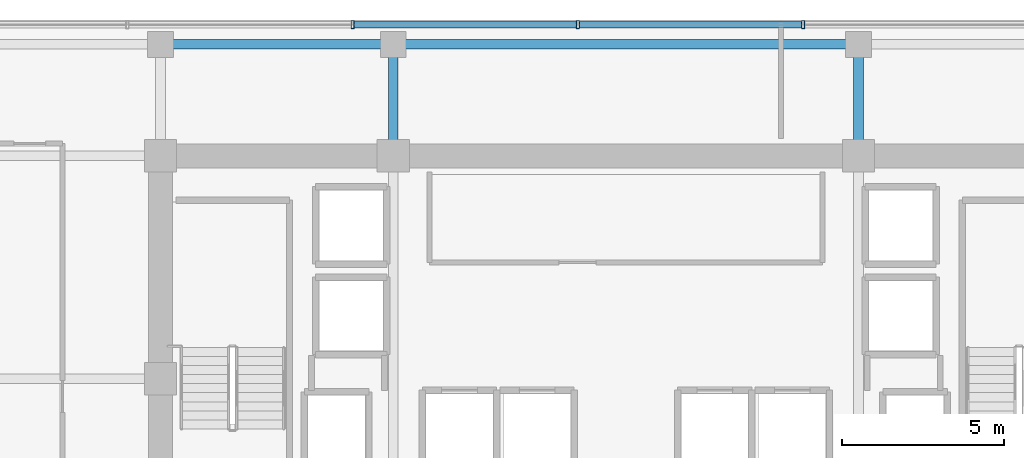
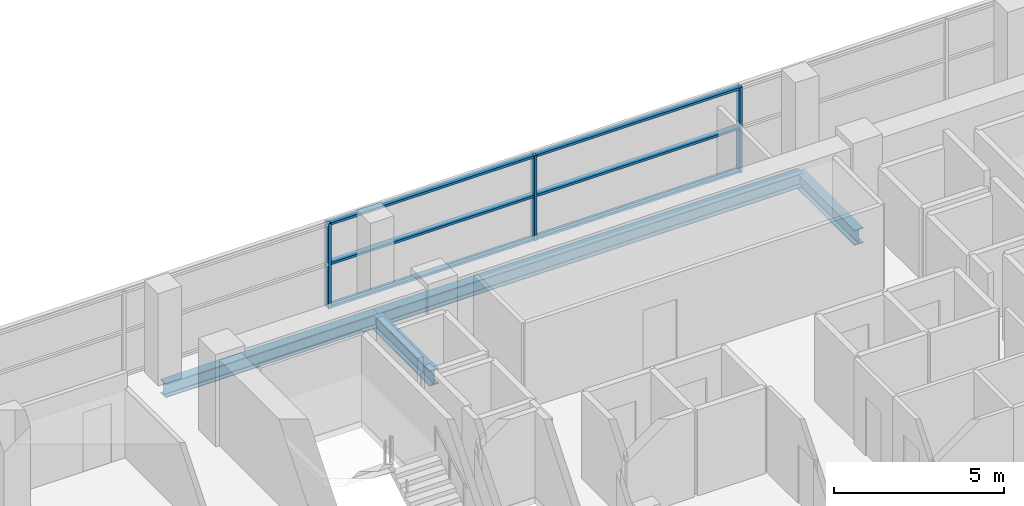
# One storey, part 13 of 25: 9 members, 4 beams, 1 element without a shape of its own.
"""IFC4 building model written with IfcOpenShell, lengths in metres."""

from ifc_helpers import new_model, si_unit, direction, frame, origin, origin_2d, place, context, subcontext, project, spatial, hollow_rectangle, i_section, extrude, source, transform, mapped, material, layer, layer_set, material_profile, profile_set, type_object, element, aggregate, save


model = new_model("IFC4")

# Units and contexts
model_context = context("Model", 3, precision=1e-05, world=origin(), true_north=direction((0.0, 1.0)))
body_context = subcontext(model_context, "Body", "Model", "MODEL_VIEW")
ifc_project = project(units=[si_unit("LENGTHUNIT", "METRE"), si_unit("AREAUNIT", "SQUARE_METRE"), si_unit("VOLUMEUNIT", "CUBIC_METRE"), si_unit("PLANEANGLEUNIT", "RADIAN"), si_unit("MASSUNIT", "GRAM", prefix="KILO")], contexts=[model_context])

# Site, building, storey
site_placement = place(None, origin())
site = spatial("IfcSite", under=ifc_project, at=site_placement, CompositionType="ELEMENT")
building_placement = place(site_placement, origin())
building = spatial("IfcBuilding", under=site, at=building_placement, Name="Zarnakvel Exchange Tower", CompositionType="ELEMENT")
storey_placement = place(building_placement, frame((0.0, 0.0, 126.39990234375)))
storey = spatial("IfcBuildingStorey", under=building, at=storey_placement, Name="L35", CompositionType="ELEMENT", Elevation=126.39990234375)

# Beams
ifc_material_1 = material(Name="Steel S355", Category="steel")
ifc_material_profile_1 = material_profile(ifc_material_1, i_section(OverallWidth=0.300048828125, OverallDepth=0.550048828125, WebThickness=0.014892578125, FlangeThickness=0.029052734375, FilletRadius=0.027099609375, at=origin_2d()))
ifc_profile_set_1 = profile_set([ifc_material_profile_1], Name="Steel S355")
beam_type_1 = type_object("IfcBeamType", Name="G-05", PredefinedType="BEAM", material=ifc_profile_set_1)
for number, where, z_axis, x_axis, name in (
    (1, (-7.199951171875, 13.5, -0.5), (0.0, 1.0, 0.0), (-1.0, 0.0, 0.0), "L35 Tower N-S Frame Beam"),
    (2, (7.199951171875, 13.5, -0.5), (0.0, 1.0, 0.0), (-1.0, 0.0, 0.0), "L35 Tower N-S Frame Beam"),
):
    element("IfcBeam", number, at=place(storey_placement, frame(where, z_axis=z_axis, x_axis=x_axis)), inside=storey, type_object=beam_type_1, Name=name, PredefinedType="BEAM", context=body_context, shape_type="SweptSolid", body=[
        extrude(i_section(OverallWidth=0.300048828125, OverallDepth=0.550048828125, WebThickness=0.014892578125, FlangeThickness=0.029052734375, FilletRadius=0.027099609375, at=origin_2d()), origin(), (0.0, 0.0, 1.0), 3.449951171875),
    ])
ifc_material_profile_2 = material_profile(ifc_material_1, i_section(OverallWidth=0.300048828125, OverallDepth=0.5, WebThickness=0.014404296875, FlangeThickness=0.028076171875, FilletRadius=0.027099609375, at=origin_2d()))
ifc_profile_set_2 = profile_set([ifc_material_profile_2], Name="Steel S355")
beam_type_2 = type_object("IfcBeamType", Name="SP-02", PredefinedType="SPANDREL", material=ifc_profile_set_2)
beam_1_placement = place(storey_placement, frame((-14.39990234375, 16.949951171875, -0.474853515625), z_axis=(1.0, 0.0, 0.0), x_axis=(0.0, 1.0, 0.0)))
element("IfcBeam", 3, at=beam_1_placement, inside=storey, type_object=beam_type_2, Name="L35 Tower E-W Frame Beam", PredefinedType="SPANDREL", context=body_context, shape_type="SweptSolid", body=[
    extrude(i_section(OverallWidth=0.300048828125, OverallDepth=0.5, WebThickness=0.014404296875, FlangeThickness=0.028076171875, FilletRadius=0.027099609375, at=origin_2d()), origin(), (0.0, 0.0, 1.0), 7.199951171875),
])
beam_2_placement = place(storey_placement, frame((-7.199951171875, 16.949951171875, -0.474853515625), z_axis=(1.0, 0.0, 0.0), x_axis=(0.0, 1.0, 0.0)))
element("IfcBeam", 4, at=beam_2_placement, inside=storey, type_object=beam_type_2, Name="L35 Tower E-W Frame Beam", PredefinedType="SPANDREL", context=body_context, shape_type="SweptSolid", body=[
    extrude(i_section(OverallWidth=0.300048828125, OverallDepth=0.5, WebThickness=0.014404296875, FlangeThickness=0.028076171875, FilletRadius=0.027099609375, at=origin_2d()), origin(), (0.0, 0.0, 1.0), 14.39990234375),
])

# Curtain wall, members
ifc_material_2 = material(Name="Architectural Bronze Anodised Aluminium", Category="aluminium")
ifc_layer = layer(ifc_material_2, 0.239990234375)
ifc_layer_set = layer_set([ifc_layer], Name="Architectural Bronze Anodised Aluminium")
curtain_wall_type = type_object("IfcCurtainWallType", Name="CW-02", PredefinedType="NOTDEFINED", material=ifc_layer_set)
curtain_wall_placement = place(storey_placement, origin())
curtain_wall = element("IfcCurtainWall", 5, at=curtain_wall_placement, inside=storey, type_object=curtain_wall_type, Name="L35 Curtain Wall CW-L35-N1 (CW-02)", PredefinedType="NOTDEFINED")
ifc_material_profile_3 = material_profile(ifc_material_2, hollow_rectangle(XDim=0.239990234375, YDim=0.090087890625, WallThickness=0.006103515625, at=origin_2d()))
ifc_profile_set_3 = profile_set([ifc_material_profile_3], Name="Architectural Bronze Anodised Aluminium")
member_type_1 = type_object("IfcMemberType", Name="CWM-02", PredefinedType="MULLION", material=ifc_profile_set_3)
shared_shape_1 = source(origin(), body_context, "Body", "SweptSolid", [
    extrude(hollow_rectangle(XDim=0.239990234375, YDim=0.090087890625, WallThickness=0.006103515625, at=origin_2d()), origin(), (0.0, 0.0, 1.0), 3.05517578125),
])
member_1_placement = place(storey_placement, frame((-8.45703125, 17.56005859375, 0.0), z_axis=(0.0, 0.0, 1.0), x_axis=(0.0, 1.0, 0.0)))
member_1 = element("IfcMember", 6, at=member_1_placement, type_object=member_type_1, Name="CW-02 mullion 3", PredefinedType="MULLION", context=body_context, shape_type="MappedRepresentation", body=[
    mapped(shared_shape_1, transform((0.0, 0.0, 0.0), x_axis=(1.0, 0.0, 0.0), y_axis=(0.0, 1.0, 0.0), z_axis=(0.0, 0.0, 1.0), scale=1.0)),
])
member_2_placement = place(storey_placement, frame((-1.485595703125, 17.56005859375, 0.0), z_axis=(0.0, 0.0, 1.0), x_axis=(0.0, 1.0, 0.0)))
member_2 = element("IfcMember", 7, at=member_2_placement, type_object=member_type_1, Name="CW-02 mullion 4", PredefinedType="MULLION", context=body_context, shape_type="MappedRepresentation", body=[
    mapped(shared_shape_1, transform((0.0, 0.0, 0.0), x_axis=(1.0, 0.0, 0.0), y_axis=(0.0, 1.0, 0.0), z_axis=(0.0, 0.0, 1.0), scale=1.0)),
])
member_3_placement = place(storey_placement, frame((5.485595703125, 17.56005859375, 0.0), z_axis=(0.0, 0.0, 1.0), x_axis=(0.0, 1.0, 0.0)))
member_3 = element("IfcMember", 8, at=member_3_placement, type_object=member_type_1, Name="CW-02 mullion 5", PredefinedType="MULLION", context=body_context, shape_type="MappedRepresentation", body=[
    mapped(shared_shape_1, transform((0.0, 0.0, 0.0), x_axis=(1.0, 0.0, 0.0), y_axis=(0.0, 1.0, 0.0), z_axis=(0.0, 0.0, 1.0), scale=1.0)),
])
ifc_material_profile_4 = material_profile(ifc_material_2, hollow_rectangle(XDim=0.199951171875, YDim=0.0849609375, WallThickness=0.0048828125, at=origin_2d()))
ifc_profile_set_4 = profile_set([ifc_material_profile_4], Name="Architectural Bronze Anodised Aluminium")
member_type_2 = type_object("IfcMemberType", Name="CWT-02", PredefinedType="USERDEFINED", material=ifc_profile_set_4)
shared_shape_2 = source(origin(), body_context, "Body", "SweptSolid", [
    extrude(hollow_rectangle(XDim=0.199951171875, YDim=0.0849609375, WallThickness=0.0048828125, at=origin_2d()), origin(), (0.0, 0.0, 1.0), 6.88134765625),
])
member_4_placement = place(storey_placement, frame((-8.412109375, 17.56005859375, 0.04248046875), z_axis=(1.0, 0.0, 0.0), x_axis=(0.0, 1.0, 0.0)))
member_4 = element("IfcMember", 9, at=member_4_placement, type_object=member_type_2, Name="CW-02 transom 3.1", ObjectType="TRANSOM", PredefinedType="USERDEFINED", context=body_context, shape_type="MappedRepresentation", body=[
    mapped(shared_shape_2, transform((0.0, 0.0, 0.0), x_axis=(1.0, 0.0, 0.0), y_axis=(0.0, 1.0, 0.0), z_axis=(0.0, 0.0, 1.0), scale=1.0)),
])
member_5_placement = place(storey_placement, frame((-8.412109375, 17.56005859375, 1.588623046875), z_axis=(1.0, 0.0, 0.0), x_axis=(0.0, 1.0, 0.0)))
member_5 = element("IfcMember", 10, at=member_5_placement, type_object=member_type_2, Name="CW-02 transom 3.2", ObjectType="TRANSOM", PredefinedType="USERDEFINED", context=body_context, shape_type="MappedRepresentation", body=[
    mapped(shared_shape_2, transform((0.0, 0.0, 0.0), x_axis=(1.0, 0.0, 0.0), y_axis=(0.0, 1.0, 0.0), z_axis=(0.0, 0.0, 1.0), scale=1.0)),
])
member_6_placement = place(storey_placement, frame((-8.412109375, 17.56005859375, 3.0126953125), z_axis=(1.0, 0.0, 0.0), x_axis=(0.0, 1.0, 0.0)))
member_6 = element("IfcMember", 11, at=member_6_placement, type_object=member_type_2, Name="CW-02 transom 3.3", ObjectType="TRANSOM", PredefinedType="USERDEFINED", context=body_context, shape_type="MappedRepresentation", body=[
    mapped(shared_shape_2, transform((0.0, 0.0, 0.0), x_axis=(1.0, 0.0, 0.0), y_axis=(0.0, 1.0, 0.0), z_axis=(0.0, 0.0, 1.0), scale=1.0)),
])
member_7_placement = place(storey_placement, frame((-1.440673828125, 17.56005859375, 0.04248046875), z_axis=(1.0, 0.0, 0.0), x_axis=(0.0, 1.0, 0.0)))
member_7 = element("IfcMember", 12, at=member_7_placement, type_object=member_type_2, Name="CW-02 transom 4.1", ObjectType="TRANSOM", PredefinedType="USERDEFINED", context=body_context, shape_type="MappedRepresentation", body=[
    mapped(shared_shape_2, transform((0.0, 0.0, 0.0), x_axis=(1.0, 0.0, 0.0), y_axis=(0.0, 1.0, 0.0), z_axis=(0.0, 0.0, 1.0), scale=1.0)),
])
member_8_placement = place(storey_placement, frame((-1.440673828125, 17.56005859375, 1.588623046875), z_axis=(1.0, 0.0, 0.0), x_axis=(0.0, 1.0, 0.0)))
member_8 = element("IfcMember", 13, at=member_8_placement, type_object=member_type_2, Name="CW-02 transom 4.2", ObjectType="TRANSOM", PredefinedType="USERDEFINED", context=body_context, shape_type="MappedRepresentation", body=[
    mapped(shared_shape_2, transform((0.0, 0.0, 0.0), x_axis=(1.0, 0.0, 0.0), y_axis=(0.0, 1.0, 0.0), z_axis=(0.0, 0.0, 1.0), scale=1.0)),
])
member_9_placement = place(storey_placement, frame((-1.440673828125, 17.56005859375, 3.0126953125), z_axis=(1.0, 0.0, 0.0), x_axis=(0.0, 1.0, 0.0)))
member_9 = element("IfcMember", 14, at=member_9_placement, type_object=member_type_2, Name="CW-02 transom 4.3", ObjectType="TRANSOM", PredefinedType="USERDEFINED", context=body_context, shape_type="MappedRepresentation", body=[
    mapped(shared_shape_2, transform((0.0, 0.0, 0.0), x_axis=(1.0, 0.0, 0.0), y_axis=(0.0, 1.0, 0.0), z_axis=(0.0, 0.0, 1.0), scale=1.0)),
])
aggregate(curtain_wall, [member_1, member_2, member_3, member_4, member_5, member_6, member_7, member_8, member_9])

save(model, "model.ifc")
